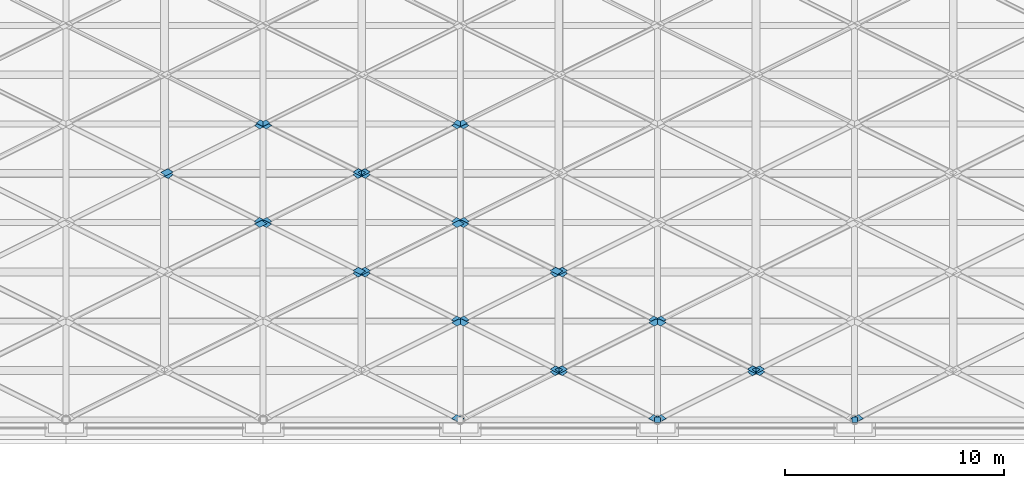
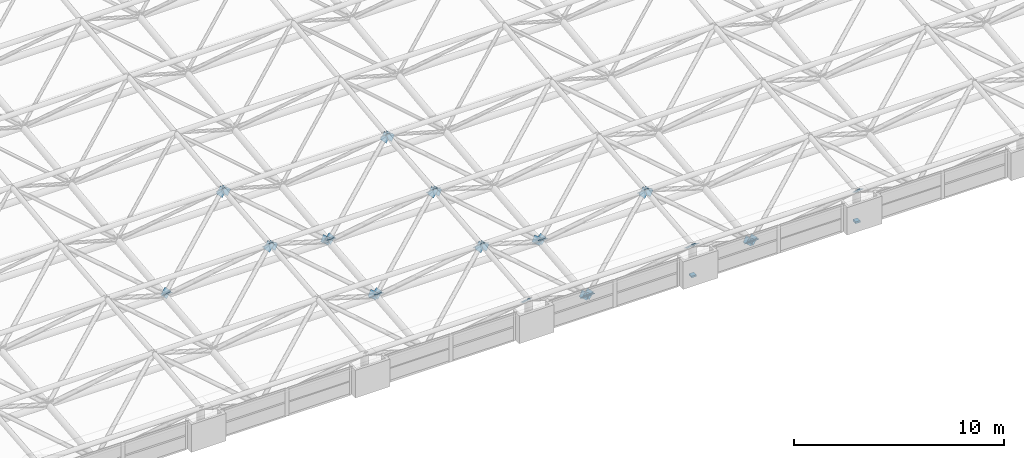
# One storey, part 31 of 53: 52 discrete accessories.
"""IFC4 building model written with IfcOpenShell, lengths in metres."""

from ifc_helpers import new_model, si_unit, direction, frame, origin, origin_2d, place, context, subcontext, project, spatial, polyline, rectangle, outline, extrude, material, layer, layer_set, type_object, element, save


model = new_model("IFC4")

# Units and contexts
model_context = context("Model", 3, precision=1e-05, world=origin(), true_north=direction((0.0, 1.0)))
body_context = subcontext(model_context, "Body", "Model", "MODEL_VIEW")
ifc_project = project(units=[si_unit("LENGTHUNIT", "METRE"), si_unit("AREAUNIT", "SQUARE_METRE"), si_unit("VOLUMEUNIT", "CUBIC_METRE"), si_unit("PLANEANGLEUNIT", "RADIAN"), si_unit("MASSUNIT", "GRAM", prefix="KILO")], contexts=[model_context])

# Site, building, storey
site_placement = place(None, origin())
site = spatial("IfcSite", under=ifc_project, at=site_placement, CompositionType="ELEMENT")
building_placement = place(site_placement, origin())
building = spatial("IfcBuilding", under=site, at=building_placement, Name="Aravalli Gate Trade Fair Centre", CompositionType="ELEMENT")
storey_placement = place(building_placement, frame((0.0, 0.0, 25.199951171875)))
storey = spatial("IfcBuildingStorey", under=building, at=storey_placement, Name="ROOF LEVEL 2", CompositionType="ELEMENT", Elevation=25.199951171875)

# Discrete accessories
ifc_material = material(Name="Steel E350", Category="steel")
discrete_accessory_type_1 = type_object("IfcDiscreteAccessoryType", Name="Bearing shoe fixed", PredefinedType="BRACKET", material=ifc_material)
for number, where, z_axis, x_axis, name in (
    (1, (60.0, 46.0, 0.0), (0.0, 0.0, 1.0), (1.0, 0.0, 0.0), "Bearing shoe A7 (fixed)"),
    (2, (69.0, 46.0, 0.0), (0.0, 0.0, 1.0), (1.0, 0.0, 0.0), "Bearing shoe A8 (fixed)"),
):
    element("IfcDiscreteAccessory", number, at=place(storey_placement, frame(where, z_axis=z_axis, x_axis=x_axis)), inside=storey, type_object=discrete_accessory_type_1, Name=name, PredefinedType="BRACKET", context=body_context, shape_type="SweptSolid", body=[
        extrude(rectangle(XDim=0.260009765625, YDim=0.260009765625, at=origin_2d()), origin(), (0.0, 0.0, 1.0), 0.10009765625),
    ])
ifc_layer_1 = layer(ifc_material, 0.011962890625)
ifc_layer_set_1 = layer_set([ifc_layer_1], Name="Steel E350")
discrete_accessory_type_2 = type_object("IfcDiscreteAccessoryType", Name="Gusset plate 291 x 291 x 12", PredefinedType="USERDEFINED", material=ifc_layer_set_1)
for number, where, z_axis, x_axis, name in (
    (3, (42.138916015625, 59.691650390625, 2.92724609375), (-6.9765199e-05, 0.771154883137, 0.636647580178), (-0.786484474244, -0.393242254842, 0.476238071536), "Gusset plate Space frame web diagonal D2A end A"),
    (4, (51.138916015625, 59.691650390625, 2.92724609375), (-6.9765199e-05, 0.771154883137, 0.636647580178), (-0.786484474244, -0.393242254842, 0.476238071536), "Gusset plate Space frame web diagonal D2A end A"),
):
    element("IfcDiscreteAccessory", number, at=place(storey_placement, frame(where, z_axis=z_axis, x_axis=x_axis)), inside=storey, type_object=discrete_accessory_type_2, Name=name, ObjectType="GUSSET PLATE", PredefinedType="USERDEFINED", context=body_context, shape_type="SweptSolid", body=[
        extrude(outline(polyline([(0.0, 0.0), (0.37064165383501635, -1.3877787807814457e-17), (0.3706783195979393, 0.29059144692340316), (0.00022867857401766278, 0.2904406632211646), (0.0, 0.0)])), origin(), (0.0, 0.0, -1.0), 0.011962890625),
    ])
for number, where, z_axis, x_axis, name in (
    (5, (41.681884765625, 59.546142578125, 3.103515625), (6.9765199e-05, 0.771154883137, 0.636647580178), (0.786233023991, -0.393446013556, 0.476484906794), "Gusset plate Space frame web diagonal D2B end A"),
    (6, (50.681884765625, 59.546142578125, 3.103515625), (6.9765199e-05, 0.771154883137, 0.636647580178), (0.786233023991, -0.393446013556, 0.476484906794), "Gusset plate Space frame web diagonal D2B end A"),
):
    element("IfcDiscreteAccessory", number, at=place(storey_placement, frame(where, z_axis=z_axis, x_axis=x_axis)), inside=storey, type_object=discrete_accessory_type_2, Name=name, ObjectType="GUSSET PLATE", PredefinedType="USERDEFINED", context=body_context, shape_type="SweptSolid", body=[
        extrude(outline(polyline([(0.0, 0.0), (0.37044967171058096, 2.7755575615628914e-17), (0.3702947268495056, 0.290591407927876), (-0.0003468962829482891, 0.29044054608337494), (0.0, 0.0)])), origin(), (0.0, 0.0, -1.0), 0.011962890625),
    ])
ifc_layer_2 = layer(ifc_material, 0.011962890625)
ifc_layer_set_2 = layer_set([ifc_layer_2], Name="Steel E350")
discrete_accessory_type_3 = type_object("IfcDiscreteAccessoryType", Name="Gusset plate 367 x 367 x 12", PredefinedType="USERDEFINED", material=ifc_layer_set_2)
discrete_accessory_1_placement = place(storey_placement, frame((55.0986328125, 48.201416015625, -0.905517578125), z_axis=(-0.000106895173, 0.77673595722, 0.629826358082), x_axis=(0.783044443413, 0.391795440284, -0.483050445204)))
element("IfcDiscreteAccessory", 7, at=discrete_accessory_1_placement, inside=storey, type_object=discrete_accessory_type_3, Name="Gusset plate Space frame web diagonal D1A end B", ObjectType="GUSSET PLATE", PredefinedType="USERDEFINED", context=body_context, shape_type="SweptSolid", body=[
    extrude(outline(polyline([(0.0, 0.0), (0.4467862821424865, 0.0), (0.4468639253124893, -0.3669184164565776), (7.764317000273635e-05, -0.36691841645657763), (0.0, 0.0)])), origin(), (0.0, 0.0, -1.0), 0.011962890625),
])
discrete_accessory_2_placement = place(storey_placement, frame((60.173095703125, 46.23876953125, 1.51513671875), z_axis=(-0.000106895173, 0.77673595722, 0.629826358082), x_axis=(-0.783044443413, -0.391795440284, 0.483050445204)))
element("IfcDiscreteAccessory", 8, at=discrete_accessory_2_placement, inside=storey, type_object=discrete_accessory_type_3, Name="Gusset plate Space frame web diagonal D1A end A", ObjectType="GUSSET PLATE", PredefinedType="USERDEFINED", context=body_context, shape_type="SweptSolid", body=[
    extrude(outline(polyline([(0.0, 0.0), (0.4467862821424865, 0.0), (0.4467086389724838, 0.36691841645657763), (-7.764317000273635e-05, 0.36691841645657763), (0.0, 0.0)])), origin(), (0.0, 0.0, -1.0), 0.011962890625),
])
discrete_accessory_3_placement = place(storey_placement, frame((64.0986328125, 48.201416015625, -0.905517578125), z_axis=(-0.000106895173, 0.77673595722, 0.629826358082), x_axis=(0.783044443413, 0.391795440284, -0.483050445204)))
element("IfcDiscreteAccessory", 9, at=discrete_accessory_3_placement, inside=storey, type_object=discrete_accessory_type_3, Name="Gusset plate Space frame web diagonal D1A end B", ObjectType="GUSSET PLATE", PredefinedType="USERDEFINED", context=body_context, shape_type="SweptSolid", body=[
    extrude(outline(polyline([(0.0, 0.0), (0.4467862821424865, 0.0), (0.4468639253124893, -0.3669184164565776), (7.764317000273635e-05, -0.36691841645657763), (0.0, 0.0)])), origin(), (0.0, 0.0, -1.0), 0.011962890625),
])
discrete_accessory_4_placement = place(storey_placement, frame((69.173095703125, 46.23876953125, 1.51513671875), z_axis=(-0.000106895173, 0.77673595722, 0.629826358082), x_axis=(-0.783044443413, -0.391795440284, 0.483050445204)))
element("IfcDiscreteAccessory", 10, at=discrete_accessory_4_placement, inside=storey, type_object=discrete_accessory_type_3, Name="Gusset plate Space frame web diagonal D1A end A", ObjectType="GUSSET PLATE", PredefinedType="USERDEFINED", context=body_context, shape_type="SweptSolid", body=[
    extrude(outline(polyline([(0.0, 0.0), (0.4467862821424865, 0.0), (0.4467086389724838, 0.36691841645657763), (-7.764317000273635e-05, 0.36691841645657763), (0.0, 0.0)])), origin(), (0.0, 0.0, -1.0), 0.011962890625),
])
discrete_accessory_5_placement = place(storey_placement, frame((46.0986328125, 52.701416015625, -0.45556640625), z_axis=(-0.000106895173, 0.77673595722, 0.629826358082), x_axis=(0.783044443413, 0.391795440284, -0.483050445204)))
element("IfcDiscreteAccessory", 11, at=discrete_accessory_5_placement, inside=storey, type_object=discrete_accessory_type_3, Name="Gusset plate Space frame web diagonal D1A end B", ObjectType="GUSSET PLATE", PredefinedType="USERDEFINED", context=body_context, shape_type="SweptSolid", body=[
    extrude(outline(polyline([(0.0, 0.0), (0.4467862821424865, 0.0), (0.4468639253124893, -0.3669184164565776), (7.764317000273635e-05, -0.36691841645657763), (0.0, 0.0)])), origin(), (0.0, 0.0, -1.0), 0.011962890625),
])
discrete_accessory_6_placement = place(storey_placement, frame((51.173095703125, 50.73876953125, 1.965087890625), z_axis=(-0.000106895173, 0.77673595722, 0.629826358082), x_axis=(-0.783044443413, -0.391795440284, 0.483050445204)))
element("IfcDiscreteAccessory", 12, at=discrete_accessory_6_placement, inside=storey, type_object=discrete_accessory_type_3, Name="Gusset plate Space frame web diagonal D1A end A", ObjectType="GUSSET PLATE", PredefinedType="USERDEFINED", context=body_context, shape_type="SweptSolid", body=[
    extrude(outline(polyline([(0.0, 0.0), (0.4467862821424865, 0.0), (0.4467086389724838, 0.36691841645657763), (-7.764317000273635e-05, 0.36691841645657763), (0.0, 0.0)])), origin(), (0.0, 0.0, -1.0), 0.011962890625),
])
discrete_accessory_7_placement = place(storey_placement, frame((55.0986328125, 52.701416015625, -0.45556640625), z_axis=(-0.000106895173, 0.77673595722, 0.629826358082), x_axis=(0.783044443413, 0.391795440284, -0.483050445204)))
element("IfcDiscreteAccessory", 13, at=discrete_accessory_7_placement, inside=storey, type_object=discrete_accessory_type_3, Name="Gusset plate Space frame web diagonal D1A end B", ObjectType="GUSSET PLATE", PredefinedType="USERDEFINED", context=body_context, shape_type="SweptSolid", body=[
    extrude(outline(polyline([(0.0, 0.0), (0.4467862821424865, 0.0), (0.4468639253124893, -0.3669184164565776), (7.764317000273635e-05, -0.36691841645657763), (0.0, 0.0)])), origin(), (0.0, 0.0, -1.0), 0.011962890625),
])
for number, where, z_axis, x_axis, name in (
    (14, (60.173095703125, 50.73876953125, 1.965087890625), (-0.000106895173, 0.77673595722, 0.629826358082), (-0.783044443413, -0.391795440284, 0.483050445204), "Gusset plate Space frame web diagonal D1A end A"),
    (15, (42.173095703125, 55.23876953125, 2.4150390625), (-0.000106895173, 0.77673595722, 0.629826358082), (-0.783044443413, -0.391795440284, 0.483050445204), "Gusset plate Space frame web diagonal D1A end A"),
):
    element("IfcDiscreteAccessory", number, at=place(storey_placement, frame(where, z_axis=z_axis, x_axis=x_axis)), inside=storey, type_object=discrete_accessory_type_3, Name=name, ObjectType="GUSSET PLATE", PredefinedType="USERDEFINED", context=body_context, shape_type="SweptSolid", body=[
        extrude(outline(polyline([(0.0, 0.0), (0.4467862821424865, 0.0), (0.4467086389724838, 0.36691841645657763), (-7.764317000273635e-05, 0.36691841645657763), (0.0, 0.0)])), origin(), (0.0, 0.0, -1.0), 0.011962890625),
    ])
discrete_accessory_8_placement = place(storey_placement, frame((46.0986328125, 57.201416015625, -0.005615234375), z_axis=(-0.000106895173, 0.77673595722, 0.629826358082), x_axis=(0.783044443413, 0.391795440284, -0.483050445204)))
element("IfcDiscreteAccessory", 16, at=discrete_accessory_8_placement, inside=storey, type_object=discrete_accessory_type_3, Name="Gusset plate Space frame web diagonal D1A end B", ObjectType="GUSSET PLATE", PredefinedType="USERDEFINED", context=body_context, shape_type="SweptSolid", body=[
    extrude(outline(polyline([(0.0, 0.0), (0.4467862821424865, 0.0), (0.4468639253124893, -0.3669184164565776), (7.764317000273635e-05, -0.36691841645657763), (0.0, 0.0)])), origin(), (0.0, 0.0, -1.0), 0.011962890625),
])
discrete_accessory_9_placement = place(storey_placement, frame((51.173095703125, 55.23876953125, 2.4150390625), z_axis=(-0.000106895173, 0.77673595722, 0.629826358082), x_axis=(-0.783044443413, -0.391795440284, 0.483050445204)))
element("IfcDiscreteAccessory", 17, at=discrete_accessory_9_placement, inside=storey, type_object=discrete_accessory_type_3, Name="Gusset plate Space frame web diagonal D1A end A", ObjectType="GUSSET PLATE", PredefinedType="USERDEFINED", context=body_context, shape_type="SweptSolid", body=[
    extrude(outline(polyline([(0.0, 0.0), (0.4467862821424865, 0.0), (0.4467086389724838, 0.36691841645657763), (-7.764317000273635e-05, 0.36691841645657763), (0.0, 0.0)])), origin(), (0.0, 0.0, -1.0), 0.011962890625),
])
for number, where, z_axis, x_axis, name in (
    (18, (50.5986328125, 46.057861328125, 1.73828125), (0.000106895173, 0.77673595722, 0.629826358082), (0.783044443413, -0.391795440284, 0.483050445204), "Gusset plate Space frame web diagonal D1B end A"),
    (19, (59.5986328125, 46.057861328125, 1.73828125), (0.000106895173, 0.77673595722, 0.629826358082), (0.783044443413, -0.391795440284, 0.483050445204), "Gusset plate Space frame web diagonal D1B end A"),
):
    element("IfcDiscreteAccessory", number, at=place(storey_placement, frame(where, z_axis=z_axis, x_axis=x_axis)), inside=storey, type_object=discrete_accessory_type_3, Name=name, ObjectType="GUSSET PLATE", PredefinedType="USERDEFINED", context=body_context, shape_type="SweptSolid", body=[
        extrude(outline(polyline([(0.0, 0.0), (0.4467862821424865, 0.0), (0.4468639253124893, 0.3669184164565776), (7.764317000273635e-05, 0.36691841645657763), (0.0, 0.0)])), origin(), (0.0, 0.0, -1.0), 0.011962890625),
    ])
for number, where, z_axis, x_axis, name in (
    (20, (55.673095703125, 48.0205078125, -0.682373046875), (0.000106895173, 0.77673595722, 0.629826358082), (-0.783044443413, 0.391795440284, -0.483050445204), "Gusset plate Space frame web diagonal D1B end B"),
    (21, (64.673095703125, 48.0205078125, -0.682373046875), (0.000106895173, 0.77673595722, 0.629826358082), (-0.783044443413, 0.391795440284, -0.483050445204), "Gusset plate Space frame web diagonal D1B end B"),
):
    element("IfcDiscreteAccessory", number, at=place(storey_placement, frame(where, z_axis=z_axis, x_axis=x_axis)), inside=storey, type_object=discrete_accessory_type_3, Name=name, ObjectType="GUSSET PLATE", PredefinedType="USERDEFINED", context=body_context, shape_type="SweptSolid", body=[
        extrude(outline(polyline([(0.0, 0.0), (0.4467862821424865, 0.0), (0.4467086389724838, -0.36691841645657763), (-7.764317000273635e-05, -0.36691841645657763), (0.0, 0.0)])), origin(), (0.0, 0.0, -1.0), 0.011962890625),
    ])
discrete_accessory_10_placement = place(storey_placement, frame((50.5986328125, 50.557861328125, 2.188232421875), z_axis=(0.000106895173, 0.77673595722, 0.629826358082), x_axis=(0.783044443413, -0.391795440284, 0.483050445204)))
element("IfcDiscreteAccessory", 22, at=discrete_accessory_10_placement, inside=storey, type_object=discrete_accessory_type_3, Name="Gusset plate Space frame web diagonal D1B end A", ObjectType="GUSSET PLATE", PredefinedType="USERDEFINED", context=body_context, shape_type="SweptSolid", body=[
    extrude(outline(polyline([(0.0, 0.0), (0.4467862821424865, 0.0), (0.4468639253124893, 0.3669184164565776), (7.764317000273635e-05, 0.36691841645657763), (0.0, 0.0)])), origin(), (0.0, 0.0, -1.0), 0.011962890625),
])
discrete_accessory_11_placement = place(storey_placement, frame((46.673095703125, 52.5205078125, -0.232421875), z_axis=(0.000106895173, 0.77673595722, 0.629826358082), x_axis=(-0.783044443413, 0.391795440284, -0.483050445204)))
element("IfcDiscreteAccessory", 23, at=discrete_accessory_11_placement, inside=storey, type_object=discrete_accessory_type_3, Name="Gusset plate Space frame web diagonal D1B end B", ObjectType="GUSSET PLATE", PredefinedType="USERDEFINED", context=body_context, shape_type="SweptSolid", body=[
    extrude(outline(polyline([(0.0, 0.0), (0.4467862821424865, 0.0), (0.4467086389724838, -0.36691841645657763), (-7.764317000273635e-05, -0.36691841645657763), (0.0, 0.0)])), origin(), (0.0, 0.0, -1.0), 0.011962890625),
])
discrete_accessory_12_placement = place(storey_placement, frame((59.5986328125, 50.557861328125, 2.188232421875), z_axis=(0.000106895173, 0.77673595722, 0.629826358082), x_axis=(0.783044443413, -0.391795440284, 0.483050445204)))
element("IfcDiscreteAccessory", 24, at=discrete_accessory_12_placement, inside=storey, type_object=discrete_accessory_type_3, Name="Gusset plate Space frame web diagonal D1B end A", ObjectType="GUSSET PLATE", PredefinedType="USERDEFINED", context=body_context, shape_type="SweptSolid", body=[
    extrude(outline(polyline([(0.0, 0.0), (0.4467862821424865, 0.0), (0.4468639253124893, 0.3669184164565776), (7.764317000273635e-05, 0.36691841645657763), (0.0, 0.0)])), origin(), (0.0, 0.0, -1.0), 0.011962890625),
])
discrete_accessory_13_placement = place(storey_placement, frame((55.673095703125, 52.5205078125, -0.232421875), z_axis=(0.000106895173, 0.77673595722, 0.629826358082), x_axis=(-0.783044443413, 0.391795440284, -0.483050445204)))
element("IfcDiscreteAccessory", 25, at=discrete_accessory_13_placement, inside=storey, type_object=discrete_accessory_type_3, Name="Gusset plate Space frame web diagonal D1B end B", ObjectType="GUSSET PLATE", PredefinedType="USERDEFINED", context=body_context, shape_type="SweptSolid", body=[
    extrude(outline(polyline([(0.0, 0.0), (0.4467862821424865, 0.0), (0.4467086389724838, -0.36691841645657763), (-7.764317000273635e-05, -0.36691841645657763), (0.0, 0.0)])), origin(), (0.0, 0.0, -1.0), 0.011962890625),
])
discrete_accessory_14_placement = place(storey_placement, frame((41.5986328125, 55.057861328125, 2.63818359375), z_axis=(0.000106895173, 0.77673595722, 0.629826358082), x_axis=(0.783044443413, -0.391795440284, 0.483050445204)))
element("IfcDiscreteAccessory", 26, at=discrete_accessory_14_placement, inside=storey, type_object=discrete_accessory_type_3, Name="Gusset plate Space frame web diagonal D1B end A", ObjectType="GUSSET PLATE", PredefinedType="USERDEFINED", context=body_context, shape_type="SweptSolid", body=[
    extrude(outline(polyline([(0.0, 0.0), (0.4467862821424865, 0.0), (0.4468639253124893, 0.3669184164565776), (7.764317000273635e-05, 0.36691841645657763), (0.0, 0.0)])), origin(), (0.0, 0.0, -1.0), 0.011962890625),
])
discrete_accessory_15_placement = place(storey_placement, frame((37.673095703125, 57.0205078125, 0.217529296875), z_axis=(0.000106895173, 0.77673595722, 0.629826358082), x_axis=(-0.783044443413, 0.391795440284, -0.483050445204)))
element("IfcDiscreteAccessory", 27, at=discrete_accessory_15_placement, inside=storey, type_object=discrete_accessory_type_3, Name="Gusset plate Space frame web diagonal D1B end B", ObjectType="GUSSET PLATE", PredefinedType="USERDEFINED", context=body_context, shape_type="SweptSolid", body=[
    extrude(outline(polyline([(0.0, 0.0), (0.4467862821424865, 0.0), (0.4467086389724838, -0.36691841645657763), (-7.764317000273635e-05, -0.36691841645657763), (0.0, 0.0)])), origin(), (0.0, 0.0, -1.0), 0.011962890625),
])
discrete_accessory_16_placement = place(storey_placement, frame((50.5986328125, 55.057861328125, 2.63818359375), z_axis=(0.000106895173, 0.77673595722, 0.629826358082), x_axis=(0.783044443413, -0.391795440284, 0.483050445204)))
element("IfcDiscreteAccessory", 28, at=discrete_accessory_16_placement, inside=storey, type_object=discrete_accessory_type_3, Name="Gusset plate Space frame web diagonal D1B end A", ObjectType="GUSSET PLATE", PredefinedType="USERDEFINED", context=body_context, shape_type="SweptSolid", body=[
    extrude(outline(polyline([(0.0, 0.0), (0.4467862821424865, 0.0), (0.4468639253124893, 0.3669184164565776), (7.764317000273635e-05, 0.36691841645657763), (0.0, 0.0)])), origin(), (0.0, 0.0, -1.0), 0.011962890625),
])
discrete_accessory_17_placement = place(storey_placement, frame((46.673095703125, 57.0205078125, 0.217529296875), z_axis=(0.000106895173, 0.77673595722, 0.629826358082), x_axis=(-0.783044443413, 0.391795440284, -0.483050445204)))
element("IfcDiscreteAccessory", 29, at=discrete_accessory_17_placement, inside=storey, type_object=discrete_accessory_type_3, Name="Gusset plate Space frame web diagonal D1B end B", ObjectType="GUSSET PLATE", PredefinedType="USERDEFINED", context=body_context, shape_type="SweptSolid", body=[
    extrude(outline(polyline([(0.0, 0.0), (0.4467862821424865, 0.0), (0.4467086389724838, -0.36691841645657763), (-7.764317000273635e-05, -0.36691841645657763), (0.0, 0.0)])), origin(), (0.0, 0.0, -1.0), 0.011962890625),
])
discrete_accessory_18_placement = place(storey_placement, frame((51.155517578125, 50.278076171875, 1.9423828125), z_axis=(-0.000292195819, -0.820164189793, 0.572128146837), x_axis=(-0.753132087854, 0.376566043927, 0.539434956975)))
element("IfcDiscreteAccessory", 30, at=discrete_accessory_18_placement, inside=storey, type_object=discrete_accessory_type_3, Name="Gusset plate Space frame web diagonal D1C end A", ObjectType="GUSSET PLATE", PredefinedType="USERDEFINED", context=body_context, shape_type="SweptSolid", body=[
    extrude(outline(polyline([(0.0, 0.0), (0.4467022275054028, -2.7755575615628914e-17), (0.4467362528213333, -0.36669377191730207), (3.402531593046931e-05, -0.366693771917302), (0.0, 0.0)])), origin(), (0.0, 0.0, -1.0), 0.011962890625),
])
discrete_accessory_19_placement = place(storey_placement, frame((55.103271484375, 48.30419921875, -0.886962890625), z_axis=(-0.000292195819, -0.820164189793, 0.572128146837), x_axis=(0.753132087854, -0.376566043927, -0.539434956975)))
element("IfcDiscreteAccessory", 31, at=discrete_accessory_19_placement, inside=storey, type_object=discrete_accessory_type_3, Name="Gusset plate Space frame web diagonal D1C end B", ObjectType="GUSSET PLATE", PredefinedType="USERDEFINED", context=body_context, shape_type="SweptSolid", body=[
    extrude(outline(polyline([(0.0, 0.0), (0.4467022275054028, -2.7755575615628914e-17), (0.4466682021894723, 0.366693771917302), (-3.402531593046931e-05, 0.366693771917302), (0.0, 0.0)])), origin(), (0.0, 0.0, -1.0), 0.011962890625),
])
discrete_accessory_20_placement = place(storey_placement, frame((60.155517578125, 50.278076171875, 1.9423828125), z_axis=(-0.000292195819, -0.820164189793, 0.572128146837), x_axis=(-0.753132087854, 0.376566043927, 0.539434956975)))
element("IfcDiscreteAccessory", 32, at=discrete_accessory_20_placement, inside=storey, type_object=discrete_accessory_type_3, Name="Gusset plate Space frame web diagonal D1C end A", ObjectType="GUSSET PLATE", PredefinedType="USERDEFINED", context=body_context, shape_type="SweptSolid", body=[
    extrude(outline(polyline([(0.0, 0.0), (0.4467022275054028, -2.7755575615628914e-17), (0.4467362528213333, -0.36669377191730207), (3.402531593046931e-05, -0.366693771917302), (0.0, 0.0)])), origin(), (0.0, 0.0, -1.0), 0.011962890625),
])
discrete_accessory_21_placement = place(storey_placement, frame((64.103271484375, 48.30419921875, -0.886962890625), z_axis=(-0.000292195819, -0.820164189793, 0.572128146837), x_axis=(0.753132087854, -0.376566043927, -0.539434956975)))
element("IfcDiscreteAccessory", 33, at=discrete_accessory_21_placement, inside=storey, type_object=discrete_accessory_type_3, Name="Gusset plate Space frame web diagonal D1C end B", ObjectType="GUSSET PLATE", PredefinedType="USERDEFINED", context=body_context, shape_type="SweptSolid", body=[
    extrude(outline(polyline([(0.0, 0.0), (0.4467022275054028, -2.7755575615628914e-17), (0.4466682021894723, 0.366693771917302), (-3.402531593046931e-05, 0.366693771917302), (0.0, 0.0)])), origin(), (0.0, 0.0, -1.0), 0.011962890625),
])
discrete_accessory_22_placement = place(storey_placement, frame((42.155517578125, 54.778076171875, 2.392333984375), z_axis=(-4.9126691e-05, -0.820140995503, 0.572161467667), x_axis=(-0.752910034648, 0.376583216139, 0.539732860821)))
element("IfcDiscreteAccessory", 34, at=discrete_accessory_22_placement, inside=storey, type_object=discrete_accessory_type_3, Name="Gusset plate Space frame web diagonal D1C end A", ObjectType="GUSSET PLATE", PredefinedType="USERDEFINED", context=body_context, shape_type="SweptSolid", body=[
    extrude(outline(polyline([(0.0, 0.0), (0.4468339673229258, 0.0), (0.4468599899280901, -0.36654297340046177), (0.00015779332313807515, -0.366693732894023), (0.0, 0.0)])), origin(), (0.0, 0.0, -1.0), 0.011962890625),
])
discrete_accessory_23_placement = place(storey_placement, frame((46.103271484375, 52.80419921875, -0.436767578125), z_axis=(-4.9126691e-05, -0.820140995503, 0.572161467667), x_axis=(0.752910034648, -0.376583216139, -0.539732860821)))
element("IfcDiscreteAccessory", 35, at=discrete_accessory_23_placement, inside=storey, type_object=discrete_accessory_type_3, Name="Gusset plate Space frame web diagonal D1C end B", ObjectType="GUSSET PLATE", PredefinedType="USERDEFINED", context=body_context, shape_type="SweptSolid", body=[
    extrude(outline(polyline([(0.0, 0.0), (0.4468339673229258, 0.0), (0.44667617399978776, 0.366693732894023), (-2.6022605164321977e-05, 0.3665429734004617), (0.0, 0.0)])), origin(), (0.0, 0.0, -1.0), 0.011962890625),
])
discrete_accessory_24_placement = place(storey_placement, frame((51.155517578125, 54.778076171875, 2.392333984375), z_axis=(-4.9126691e-05, -0.820140995503, 0.572161467667), x_axis=(-0.752910034648, 0.376583216139, 0.539732860821)))
element("IfcDiscreteAccessory", 36, at=discrete_accessory_24_placement, inside=storey, type_object=discrete_accessory_type_3, Name="Gusset plate Space frame web diagonal D1C end A", ObjectType="GUSSET PLATE", PredefinedType="USERDEFINED", context=body_context, shape_type="SweptSolid", body=[
    extrude(outline(polyline([(0.0, 0.0), (0.4468339673229258, 0.0), (0.4468599899280901, -0.36654297340046177), (0.00015779332313807515, -0.366693732894023), (0.0, 0.0)])), origin(), (0.0, 0.0, -1.0), 0.011962890625),
])
discrete_accessory_25_placement = place(storey_placement, frame((55.103271484375, 52.80419921875, -0.436767578125), z_axis=(-4.9126691e-05, -0.820140995503, 0.572161467667), x_axis=(0.752910034648, -0.376583216139, -0.539732860821)))
element("IfcDiscreteAccessory", 37, at=discrete_accessory_25_placement, inside=storey, type_object=discrete_accessory_type_3, Name="Gusset plate Space frame web diagonal D1C end B", ObjectType="GUSSET PLATE", PredefinedType="USERDEFINED", context=body_context, shape_type="SweptSolid", body=[
    extrude(outline(polyline([(0.0, 0.0), (0.4468339673229258, 0.0), (0.44667617399978776, 0.366693732894023), (-2.6022605164321977e-05, 0.3665429734004617), (0.0, 0.0)])), origin(), (0.0, 0.0, -1.0), 0.011962890625),
])
discrete_accessory_26_placement = place(storey_placement, frame((42.155517578125, 59.278076171875, 2.84228515625), z_axis=(-5.6748583e-05, -0.820281851296, 0.571959510117), x_axis=(-0.752910033129, 0.376455016564, 0.539822287904)))
element("IfcDiscreteAccessory", 38, at=discrete_accessory_26_placement, inside=storey, type_object=discrete_accessory_type_3, Name="Gusset plate Space frame web diagonal D1C end A", ObjectType="GUSSET PLATE", PredefinedType="USERDEFINED", context=body_context, shape_type="SweptSolid", body=[
    extrude(outline(polyline([(0.0, 0.0), (0.44683397278152426, 2.7755575615628914e-17), (0.44699177701993154, -0.3666937395408909), (0.0001578042384072914, -0.3666937395408909), (0.0, 0.0)])), origin(), (0.0, 0.0, -1.0), 0.011962890625),
])
discrete_accessory_27_placement = place(storey_placement, frame((46.103271484375, 57.30419921875, 0.01318359375), z_axis=(-5.6748583e-05, -0.820281851296, 0.571959510117), x_axis=(0.752910033129, -0.376455016564, -0.539822287904)))
element("IfcDiscreteAccessory", 39, at=discrete_accessory_27_placement, inside=storey, type_object=discrete_accessory_type_3, Name="Gusset plate Space frame web diagonal D1C end B", ObjectType="GUSSET PLATE", PredefinedType="USERDEFINED", context=body_context, shape_type="SweptSolid", body=[
    extrude(outline(polyline([(0.0, 0.0), (0.44683397278152426, 2.7755575615628914e-17), (0.446676168543117, 0.36669373954089096), (-0.0001578042384072914, 0.3666937395408909), (0.0, 0.0)])), origin(), (0.0, 0.0, -1.0), 0.011962890625),
])
discrete_accessory_28_placement = place(storey_placement, frame((51.155517578125, 59.278076171875, 2.84228515625), z_axis=(-5.6748583e-05, -0.820281851296, 0.571959510117), x_axis=(-0.752910033129, 0.376455016564, 0.539822287904)))
element("IfcDiscreteAccessory", 40, at=discrete_accessory_28_placement, inside=storey, type_object=discrete_accessory_type_3, Name="Gusset plate Space frame web diagonal D1C end A", ObjectType="GUSSET PLATE", PredefinedType="USERDEFINED", context=body_context, shape_type="SweptSolid", body=[
    extrude(outline(polyline([(0.0, 0.0), (0.44683397278152426, 2.7755575615628914e-17), (0.44699177701993154, -0.3666937395408909), (0.0001578042384072914, -0.3666937395408909), (0.0, 0.0)])), origin(), (0.0, 0.0, -1.0), 0.011962890625),
])
for number, where, z_axis, x_axis, name in (
    (41, (50.603271484375, 50.43603515625, 2.1689453125), (0.000292195819, -0.820164189793, 0.572128146837), (0.753132087854, 0.376566043927, 0.539434956975), "Gusset plate Space frame web diagonal D1D end A"),
    (42, (59.603271484375, 50.43603515625, 2.1689453125), (0.000292195819, -0.820164189793, 0.572128146837), (0.753132087854, 0.376566043927, 0.539434956975), "Gusset plate Space frame web diagonal D1D end A"),
):
    element("IfcDiscreteAccessory", number, at=place(storey_placement, frame(where, z_axis=z_axis, x_axis=x_axis)), inside=storey, type_object=discrete_accessory_type_3, Name=name, ObjectType="GUSSET PLATE", PredefinedType="USERDEFINED", context=body_context, shape_type="SweptSolid", body=[
        extrude(outline(polyline([(0.0, 0.0), (0.4467022275054028, 2.7755575615628914e-17), (0.4466682021894723, -0.366693771917302), (-3.402531593046931e-05, -0.366693771917302), (0.0, 0.0)])), origin(), (0.0, 0.0, -1.0), 0.011962890625),
    ])
for number, where, z_axis, x_axis, name in (
    (43, (55.655517578125, 48.462158203125, -0.660400390625), (0.000292195819, -0.820164189793, 0.572128146837), (-0.753132087854, -0.376566043927, -0.539434956975), "Gusset plate Space frame web diagonal D1D end B"),
    (44, (64.655517578125, 48.462158203125, -0.660400390625), (0.000292195819, -0.820164189793, 0.572128146837), (-0.753132087854, -0.376566043927, -0.539434956975), "Gusset plate Space frame web diagonal D1D end B"),
):
    element("IfcDiscreteAccessory", number, at=place(storey_placement, frame(where, z_axis=z_axis, x_axis=x_axis)), inside=storey, type_object=discrete_accessory_type_3, Name=name, ObjectType="GUSSET PLATE", PredefinedType="USERDEFINED", context=body_context, shape_type="SweptSolid", body=[
        extrude(outline(polyline([(0.0, 0.0), (0.4467022275054028, 2.7755575615628914e-17), (0.4467362528213333, 0.36669377191730207), (3.402531593046931e-05, 0.366693771917302), (0.0, 0.0)])), origin(), (0.0, 0.0, -1.0), 0.011962890625),
    ])
for number, where, z_axis, x_axis, name in (
    (45, (41.603271484375, 54.93603515625, 2.618896484375), (4.9126691e-05, -0.820140995503, 0.572161467667), (0.753132104741, 0.376437815746, 0.539524423623), "Gusset plate Space frame web diagonal D1D end A"),
    (46, (50.603271484375, 54.93603515625, 2.618896484375), (4.9126691e-05, -0.820140995503, 0.572161467667), (0.753132104741, 0.376437815746, 0.539524423623), "Gusset plate Space frame web diagonal D1D end A"),
):
    element("IfcDiscreteAccessory", number, at=place(storey_placement, frame(where, z_axis=z_axis, x_axis=x_axis)), inside=storey, type_object=discrete_accessory_type_3, Name=name, ObjectType="GUSSET PLATE", PredefinedType="USERDEFINED", context=body_context, shape_type="SweptSolid", body=[
        extrude(outline(polyline([(0.0, 0.0), (0.4467022220451944, 0.0), (0.44679990563841726, -0.3665429613078707), (-3.4036236763179684e-05, -0.3666937652647241), (0.0, 0.0)])), origin(), (0.0, 0.0, -1.0), 0.011962890625),
    ])
for number, where, z_axis, x_axis, name in (
    (47, (46.655517578125, 52.962158203125, -0.21044921875), (4.9126691e-05, -0.820140995503, 0.572161467667), (-0.753132104741, -0.376437815746, -0.539524423623), "Gusset plate Space frame web diagonal D1D end B"),
    (48, (55.655517578125, 52.962158203125, -0.21044921875), (4.9126691e-05, -0.820140995503, 0.572161467667), (-0.753132104741, -0.376437815746, -0.539524423623), "Gusset plate Space frame web diagonal D1D end B"),
):
    element("IfcDiscreteAccessory", number, at=place(storey_placement, frame(where, z_axis=z_axis, x_axis=x_axis)), inside=storey, type_object=discrete_accessory_type_3, Name=name, ObjectType="GUSSET PLATE", PredefinedType="USERDEFINED", context=body_context, shape_type="SweptSolid", body=[
        extrude(outline(polyline([(0.0, 0.0), (0.4467022220451944, 0.0), (0.44673625828195757, 0.3666937652647241), (-9.768359322287479e-05, 0.3665429613078708), (0.0, 0.0)])), origin(), (0.0, 0.0, -1.0), 0.011962890625),
    ])
discrete_accessory_29_placement = place(storey_placement, frame((41.603271484375, 59.43603515625, 3.06884765625), z_axis=(5.6748583e-05, -0.820281851296, 0.571959510117), x_axis=(0.752910033129, 0.376455016564, 0.539822287904)))
element("IfcDiscreteAccessory", 49, at=discrete_accessory_29_placement, inside=storey, type_object=discrete_accessory_type_3, Name="Gusset plate Space frame web diagonal D1D end A", ObjectType="GUSSET PLATE", PredefinedType="USERDEFINED", context=body_context, shape_type="SweptSolid", body=[
    extrude(outline(polyline([(0.0, 0.0), (0.44683397278152426, -2.7755575615628914e-17), (0.446676168543117, -0.36669373954089096), (-0.0001578042384072914, -0.3666937395408909), (0.0, 0.0)])), origin(), (0.0, 0.0, -1.0), 0.011962890625),
])
discrete_accessory_30_placement = place(storey_placement, frame((37.655517578125, 57.462158203125, 0.23974609375), z_axis=(5.6748583e-05, -0.820281851296, 0.571959510117), x_axis=(-0.752910033129, -0.376455016564, -0.539822287904)))
element("IfcDiscreteAccessory", 50, at=discrete_accessory_30_placement, inside=storey, type_object=discrete_accessory_type_3, Name="Gusset plate Space frame web diagonal D1D end B", ObjectType="GUSSET PLATE", PredefinedType="USERDEFINED", context=body_context, shape_type="SweptSolid", body=[
    extrude(outline(polyline([(0.0, 0.0), (0.44683397278152426, -2.7755575615628914e-17), (0.44699177701993154, 0.3666937395408909), (0.0001578042384072914, 0.3666937395408909), (0.0, 0.0)])), origin(), (0.0, 0.0, -1.0), 0.011962890625),
])
discrete_accessory_31_placement = place(storey_placement, frame((50.603271484375, 59.43603515625, 3.06884765625), z_axis=(5.6748583e-05, -0.820281851296, 0.571959510117), x_axis=(0.752910033129, 0.376455016564, 0.539822287904)))
element("IfcDiscreteAccessory", 51, at=discrete_accessory_31_placement, inside=storey, type_object=discrete_accessory_type_3, Name="Gusset plate Space frame web diagonal D1D end A", ObjectType="GUSSET PLATE", PredefinedType="USERDEFINED", context=body_context, shape_type="SweptSolid", body=[
    extrude(outline(polyline([(0.0, 0.0), (0.44683397278152426, -2.7755575615628914e-17), (0.446676168543117, -0.36669373954089096), (-0.0001578042384072914, -0.3666937395408909), (0.0, 0.0)])), origin(), (0.0, 0.0, -1.0), 0.011962890625),
])
discrete_accessory_32_placement = place(storey_placement, frame((46.655517578125, 57.462158203125, 0.23974609375), z_axis=(5.6748583e-05, -0.820281851296, 0.571959510117), x_axis=(-0.752910033129, -0.376455016564, -0.539822287904)))
element("IfcDiscreteAccessory", 52, at=discrete_accessory_32_placement, inside=storey, type_object=discrete_accessory_type_3, Name="Gusset plate Space frame web diagonal D1D end B", ObjectType="GUSSET PLATE", PredefinedType="USERDEFINED", context=body_context, shape_type="SweptSolid", body=[
    extrude(outline(polyline([(0.0, 0.0), (0.44683397278152426, -2.7755575615628914e-17), (0.44699177701993154, 0.3666937395408909), (0.0001578042384072914, 0.3666937395408909), (0.0, 0.0)])), origin(), (0.0, 0.0, -1.0), 0.011962890625),
])

save(model, "model.ifc")
